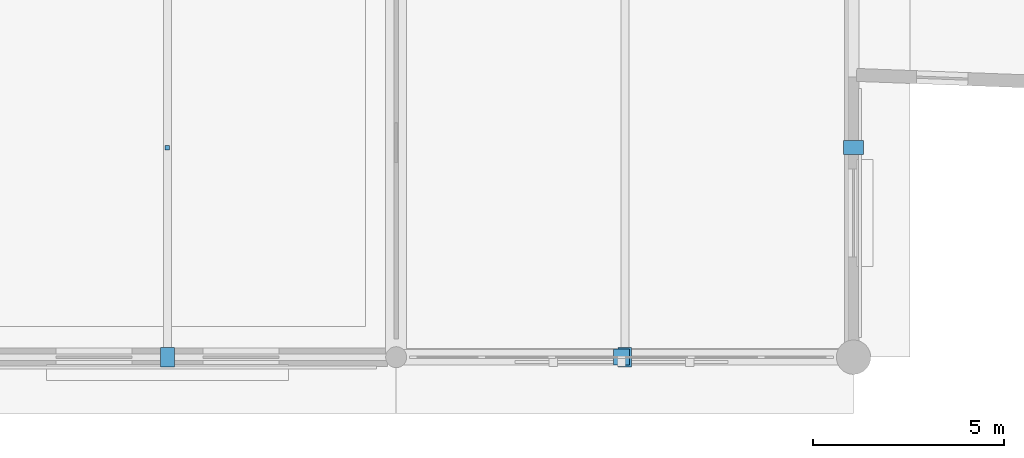
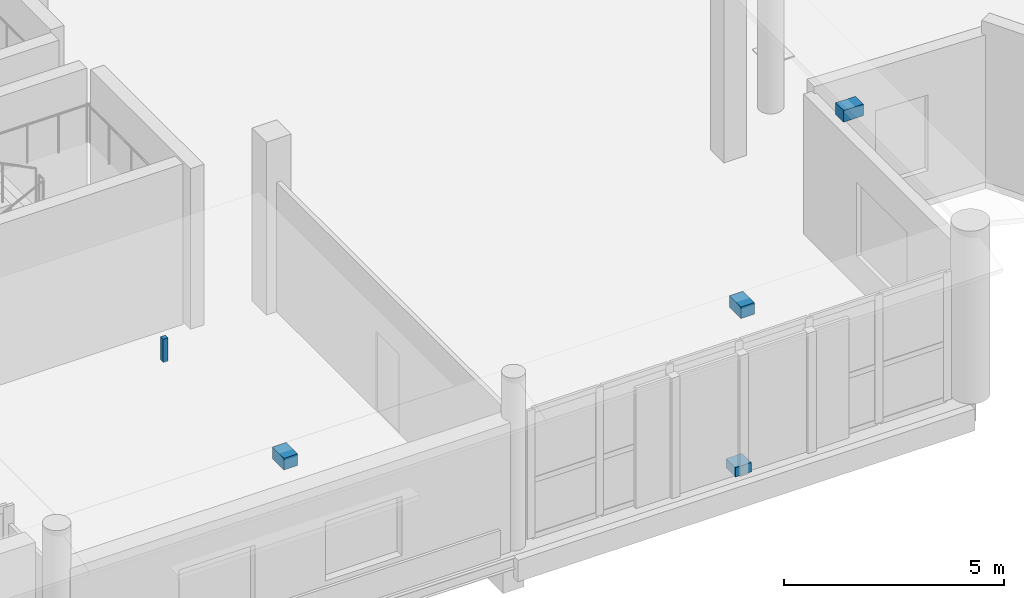
# One storey, part 105 of 143: 5 discrete accessories.
"""IFC4 building model written with IfcOpenShell, lengths in metres."""

from ifc_helpers import new_model, si_unit, direction, frame, origin, origin_2d, place, context, subcontext, project, spatial, rectangle, extrude, material, layer, layer_set, type_object, element, save


model = new_model("IFC4")

# Units and contexts
model_context = context("Model", 3, precision=1e-05, world=origin(), true_north=direction((0.0, 1.0)))
body_context = subcontext(model_context, "Body", "Model", "MODEL_VIEW")
ifc_project = project(units=[si_unit("LENGTHUNIT", "METRE"), si_unit("AREAUNIT", "SQUARE_METRE"), si_unit("VOLUMEUNIT", "CUBIC_METRE"), si_unit("PLANEANGLEUNIT", "RADIAN"), si_unit("MASSUNIT", "GRAM", prefix="KILO")], contexts=[model_context])

# Site, building, storey
site_placement = place(None, origin())
site = spatial("IfcSite", under=ifc_project, at=site_placement, CompositionType="ELEMENT")
building_placement = place(site_placement, origin())
building = spatial("IfcBuilding", under=site, at=building_placement, Name="Luwafu Chhajja Arena", CompositionType="ELEMENT")
storey_placement = place(building_placement, frame((0.0, 0.0, 5.39990234375)))
storey = spatial("IfcBuildingStorey", under=building, at=storey_placement, Name="L01", CompositionType="ELEMENT", Elevation=5.39990234375)

# Discrete accessories
ifc_material = material(Name="Stainless steel bracket", Category="steel")
ifc_layer = layer(ifc_material, 0.179931640625, Name="Stainless steel bracket")
ifc_layer_set = layer_set([ifc_layer], Name="Stainless steel bracket")
discrete_accessory_type = type_object("IfcDiscreteAccessoryType", Name="Stainless Steel Facade Support Bracket", PredefinedType="BRACKET", material=ifc_layer_set)
for number, where, z_axis, x_axis, name in (
    (1, (40.0, 0.0, 4.3798828125), (0.0, 0.0, 1.0), (1.0, 0.0, 0.0), "L01 Chhajja Eave Support Bracket 0156"),
    (2, (52.0, 0.0, 4.3798828125), (0.0, 0.0, 1.0), (1.0, 0.0, 0.0), "L01 Chhajja Eave Support Bracket 0165"),
):
    element("IfcDiscreteAccessory", number, at=place(storey_placement, frame(where, z_axis=z_axis, x_axis=x_axis)), inside=storey, type_object=discrete_accessory_type, Name=name, PredefinedType="BRACKET", context=body_context, shape_type="SweptSolid", body=[
        extrude(rectangle(XDim=0.360107421875, YDim=0.52001953125, at=origin_2d()), origin(), (0.0, 0.0, 1.0), 0.320068359375),
    ])
discrete_accessory_1_placement = place(storey_placement, frame((51.91259765625, 0.0, -0.009765625), z_axis=(0.0, 0.0, 1.0), x_axis=(1.0, 0.0, 0.0)))
element("IfcDiscreteAccessory", 3, at=discrete_accessory_1_placement, inside=storey, type_object=discrete_accessory_type, Name="Jali Stainless Support Bracket 0166", PredefinedType="BRACKET", context=body_context, shape_type="SweptSolid", body=[
    extrude(rectangle(XDim=0.419921875, YDim=0.419921875, at=origin_2d()), origin(), (0.0, 0.0, 1.0), 0.260009765625),
])
discrete_accessory_2_placement = place(storey_placement, frame((58.0, 5.5, 4.3798828125), z_axis=(0.0, 0.0, 1.0), x_axis=(0.0, 1.0, 0.0)))
element("IfcDiscreteAccessory", 4, at=discrete_accessory_2_placement, inside=storey, type_object=discrete_accessory_type, Name="L01 Chhajja Eave Support Bracket 0167", PredefinedType="BRACKET", context=body_context, shape_type="SweptSolid", body=[
    extrude(rectangle(XDim=0.360107421875, YDim=0.52001953125, at=origin_2d()), origin(), (0.0, 0.0, 1.0), 0.320068359375),
])
discrete_accessory_3_placement = place(storey_placement, frame((40.0, 5.5, 3.86279296875), z_axis=(0.0, 0.0, 1.0), x_axis=(1.0, 0.0, 0.0)))
element("IfcDiscreteAccessory", 5, at=discrete_accessory_3_placement, inside=storey, type_object=discrete_accessory_type, Name="L01 Ceiling Suspension Hanger 027", PredefinedType="BRACKET", context=body_context, shape_type="SweptSolid", body=[
    extrude(rectangle(XDim=0.1201171875, YDim=0.1201171875, at=origin_2d()), origin(), (0.0, 0.0, 1.0), 0.647216796875),
])

save(model, "model.ifc")
